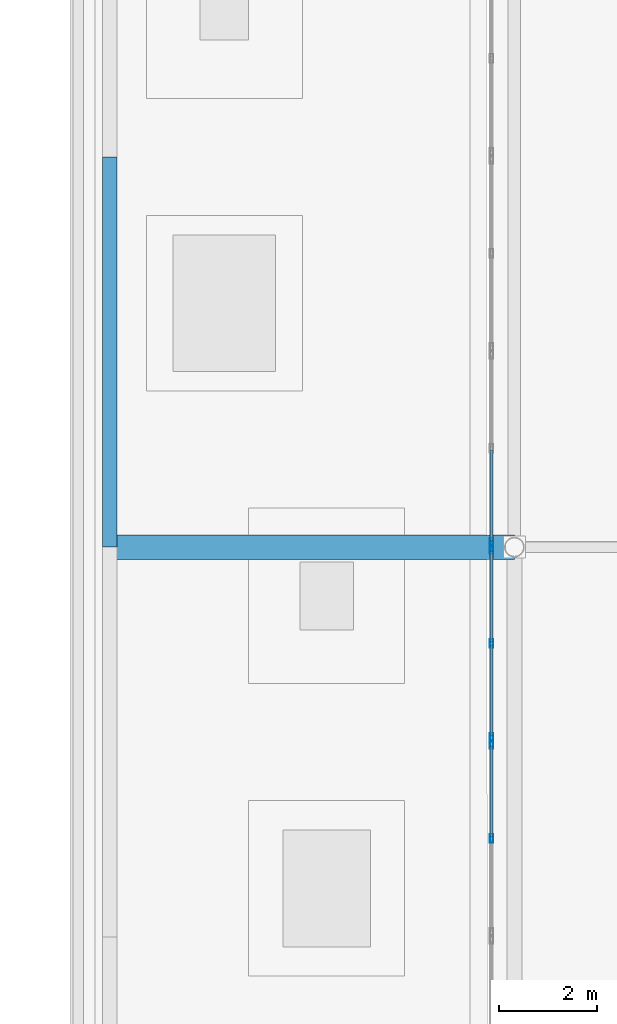
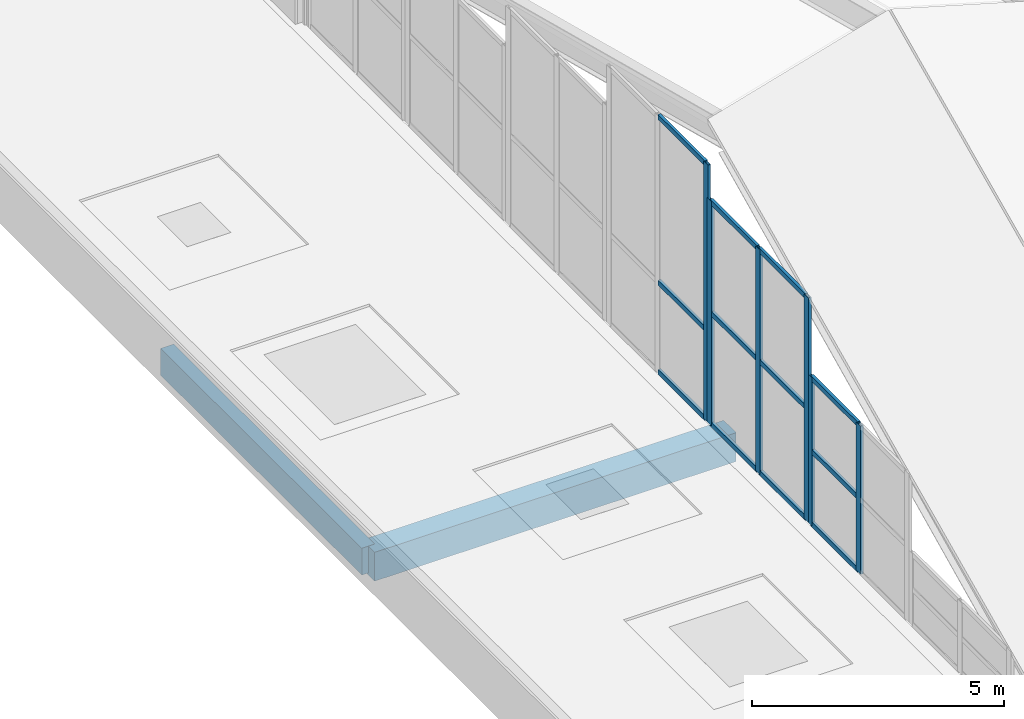
# One storey, part 35 of 184: 18 members, 2 beams, 3 elements without a shape of their own.
"""IFC4 building model written with IfcOpenShell, lengths in metres."""

from ifc_helpers import new_model, si_unit, direction, frame, origin, origin_2d, place, context, subcontext, project, spatial, rectangle, hollow_rectangle, extrude, material, material_profile, profile_set, type_object, element, aggregate, save


model = new_model("IFC4")

# Units and contexts
model_context = context("Model", 3, precision=1e-05, world=origin(), true_north=direction((0.0, 1.0)))
body_context = subcontext(model_context, "Body", "Model", "MODEL_VIEW")
ifc_project = project(units=[si_unit("LENGTHUNIT", "METRE"), si_unit("AREAUNIT", "SQUARE_METRE"), si_unit("VOLUMEUNIT", "CUBIC_METRE"), si_unit("PLANEANGLEUNIT", "RADIAN"), si_unit("MASSUNIT", "GRAM", prefix="KILO")], contexts=[model_context])

# Site, building, storey
site_placement = place(None, origin())
site = spatial("IfcSite", under=ifc_project, at=site_placement, CompositionType="ELEMENT")
building_placement = place(site_placement, origin())
building = spatial("IfcBuilding", under=site, at=building_placement, Name="Selatvlak General Hospital", CompositionType="ELEMENT")
storey_placement = place(building_placement, frame((0.0, 0.0, 15.0)))
storey = spatial("IfcBuildingStorey", under=building, at=storey_placement, Name="L03", CompositionType="ELEMENT", Elevation=15.0)

# Beams
ifc_material_1 = material(Name="Concrete C40/50", Category="concrete")
ifc_material_profile_1 = material_profile(ifc_material_1, rectangle(XDim=0.5, YDim=0.699951171875, at=origin_2d()), Name="RC-BM 500x700")
ifc_profile_set_1 = profile_set([ifc_material_profile_1], Name="Concrete C40/50")
beam_type_1 = type_object("IfcBeamType", Name="BM-G03", PredefinedType="BEAM", material=ifc_profile_set_1)
beam_1_placement = place(storey_placement, frame((15.050048828125, 68.0, -0.610107421875), z_axis=(1.0, 0.0, 0.0), x_axis=(0.0, 1.0, 0.0)))
element("IfcBeam", 1, at=beam_1_placement, inside=storey, type_object=beam_type_1, Name="Beam BMR-L03-2910", PredefinedType="BEAM", context=body_context, shape_type="SweptSolid", body=[
    extrude(rectangle(XDim=0.5, YDim=0.699951171875, at=origin_2d()), origin(), (0.0, 0.0, 1.0), 8.300048828125),
])
ifc_material_profile_2 = material_profile(ifc_material_1, rectangle(XDim=0.300048828125, YDim=0.64990234375, at=origin_2d()), Name="RC-SP 300x650")
ifc_profile_set_2 = profile_set([ifc_material_profile_2], Name="Concrete C40/50")
beam_type_2 = type_object("IfcBeamType", Name="BM-SP1", PredefinedType="SPANDREL", material=ifc_profile_set_2)
beam_2_placement = place(storey_placement, frame((15.050048828125, 68.0, -0.5849609375), z_axis=(0.0, 1.0, 0.0), x_axis=(-1.0, 0.0, 0.0)))
element("IfcBeam", 2, at=beam_2_placement, inside=storey, type_object=beam_type_2, Name="Beam BMR-L03-1293", PredefinedType="SPANDREL", context=body_context, shape_type="SweptSolid", body=[
    extrude(rectangle(XDim=0.300048828125, YDim=0.64990234375, at=origin_2d()), origin(), (0.0, 0.0, 1.0), 8.0),
])

# Curtain wall, members
ifc_material_2 = material(Name="Solar-control Low-E double glazing", Category="glass")
curtain_wall_type = type_object("IfcCurtainWallType", Name="CW-CW-05", PredefinedType="USERDEFINED", material=ifc_material_2)
curtain_wall_1_placement = place(storey_placement, origin())
curtain_wall_1 = element("IfcCurtainWall", 3, at=curtain_wall_1_placement, inside=storey, type_object=curtain_wall_type, Name="Glazed facade curtain wall CW-L03-0724", ObjectType="STICK GLAZING WALL", PredefinedType="USERDEFINED")
ifc_material_3 = material(Name="Dark anodised aluminium mullion", Category="aluminium")
ifc_material_profile_3 = material_profile(ifc_material_3, hollow_rectangle(XDim=0.06494140625, YDim=0.179931640625, WallThickness=0.00439453125, at=origin_2d()), Name="AL-MUL 65x180x4.5")
ifc_profile_set_3 = profile_set([ifc_material_profile_3], Name="Dark anodised aluminium mullion")
member_type_1 = type_object("IfcMemberType", Name="CWM-02", PredefinedType="MULLION", material=ifc_profile_set_3)
member_1_placement = place(storey_placement, frame((22.8798828125, 62.02490234375, 0.0), z_axis=(0.0, 0.0, 1.0), x_axis=(-1.0, 0.0, 0.0)))
member_1 = element("IfcMember", 4, at=member_1_placement, type_object=member_type_1, Name="CW-05 mullion 2", PredefinedType="MULLION", context=body_context, shape_type="SweptSolid", body=[
    extrude(hollow_rectangle(XDim=0.06494140625, YDim=0.179931640625, WallThickness=0.00439453125, at=origin_2d()), origin(), (0.0, 0.0, 1.0), 3.60009765625),
])
member_2_placement = place(storey_placement, frame((22.8798828125, 63.952392578125, 0.0), z_axis=(0.0, 0.0, 1.0), x_axis=(-1.0, 0.0, 0.0)))
member_2 = element("IfcMember", 5, at=member_2_placement, type_object=member_type_1, Name="CW-05 mullion 3", PredefinedType="MULLION", context=body_context, shape_type="SweptSolid", body=[
    extrude(hollow_rectangle(XDim=0.06494140625, YDim=0.179931640625, WallThickness=0.00439453125, at=origin_2d()), origin(), (0.0, 0.0, 1.0), 3.60009765625),
])

curtain_wall_2_placement = place(storey_placement, origin())
curtain_wall_2 = element("IfcCurtainWall", 6, at=curtain_wall_2_placement, inside=storey, type_object=curtain_wall_type, Name="Glazed facade curtain wall CW-L03-0725", ObjectType="STICK GLAZING WALL", PredefinedType="USERDEFINED")
member_3_placement = place(storey_placement, frame((22.8798828125, 64.097412109375, 0.0), z_axis=(0.0, 0.0, 1.0), x_axis=(-1.0, 0.0, 0.0)))
member_3 = element("IfcMember", 7, at=member_3_placement, type_object=member_type_1, Name="CW-05 mullion 1", PredefinedType="MULLION", context=body_context, shape_type="SweptSolid", body=[
    extrude(hollow_rectangle(XDim=0.06494140625, YDim=0.179931640625, WallThickness=0.00439453125, at=origin_2d()), origin(), (0.0, 0.0, 1.0), 5.449951171875),
])
member_4_placement = place(storey_placement, frame((22.8798828125, 66.02490234375, 0.0), z_axis=(0.0, 0.0, 1.0), x_axis=(-1.0, 0.0, 0.0)))
member_4 = element("IfcMember", 8, at=member_4_placement, type_object=member_type_1, Name="CW-05 mullion 2", PredefinedType="MULLION", context=body_context, shape_type="SweptSolid", body=[
    extrude(hollow_rectangle(XDim=0.06494140625, YDim=0.179931640625, WallThickness=0.00439453125, at=origin_2d()), origin(), (0.0, 0.0, 1.0), 5.449951171875),
])
member_5_placement = place(storey_placement, frame((22.8798828125, 67.952392578125, 0.0), z_axis=(0.0, 0.0, 1.0), x_axis=(-1.0, 0.0, 0.0)))
member_5 = element("IfcMember", 9, at=member_5_placement, type_object=member_type_1, Name="CW-05 mullion 3", PredefinedType="MULLION", context=body_context, shape_type="SweptSolid", body=[
    extrude(hollow_rectangle(XDim=0.06494140625, YDim=0.179931640625, WallThickness=0.00439453125, at=origin_2d()), origin(), (0.0, 0.0, 1.0), 5.449951171875),
])

# Curtain wall, member
curtain_wall_3_placement = place(storey_placement, origin())
curtain_wall_3 = element("IfcCurtainWall", 10, at=curtain_wall_3_placement, inside=storey, type_object=curtain_wall_type, Name="Glazed facade curtain wall CW-L03-0726", ObjectType="STICK GLAZING WALL", PredefinedType="USERDEFINED")
member_6_placement = place(storey_placement, frame((22.8798828125, 68.097412109375, 0.0), z_axis=(0.0, 0.0, 1.0), x_axis=(-1.0, 0.0, 0.0)))
member_6 = element("IfcMember", 11, at=member_6_placement, type_object=member_type_1, Name="CW-05 mullion 1", PredefinedType="MULLION", context=body_context, shape_type="SweptSolid", body=[
    extrude(hollow_rectangle(XDim=0.06494140625, YDim=0.179931640625, WallThickness=0.00439453125, at=origin_2d()), origin(), (0.0, 0.0, 1.0), 6.25),
])

# Member
ifc_material_profile_4 = material_profile(ifc_material_3, hollow_rectangle(XDim=0.06494140625, YDim=0.1201171875, WallThickness=0.00390625, at=origin_2d()), Name="AL-TRN 65x120x4")
ifc_profile_set_4 = profile_set([ifc_material_profile_4], Name="Dark anodised aluminium mullion")
member_type_2 = type_object("IfcMemberType", Name="CWT-01", PredefinedType="USERDEFINED", material=ifc_profile_set_4)
member_7_placement = place(storey_placement, frame((22.8798828125, 62.0576171875, 0.032470703125), z_axis=(0.0, 1.0, 0.0), x_axis=(-1.0, 0.0, 0.0)))
member_7 = element("IfcMember", 12, at=member_7_placement, type_object=member_type_2, Name="CW-05 transom 2.1", ObjectType="TRANSOM", PredefinedType="USERDEFINED", context=body_context, shape_type="SweptSolid", body=[
    extrude(hollow_rectangle(XDim=0.06494140625, YDim=0.1201171875, WallThickness=0.00390625, at=origin_2d()), origin(), (0.0, 0.0, 1.0), 1.8623046875),
])

member_8_placement = place(storey_placement, frame((22.8798828125, 62.0576171875, 1.800048828125), z_axis=(0.0, 1.0, 0.0), x_axis=(-1.0, 0.0, 0.0)))
member_8 = element("IfcMember", 13, at=member_8_placement, type_object=member_type_2, Name="CW-05 transom 2.2", ObjectType="TRANSOM", PredefinedType="USERDEFINED", context=body_context, shape_type="SweptSolid", body=[
    extrude(hollow_rectangle(XDim=0.06494140625, YDim=0.1201171875, WallThickness=0.00390625, at=origin_2d()), origin(), (0.0, 0.0, 1.0), 1.8623046875),
])

member_9_placement = place(storey_placement, frame((22.8798828125, 62.0576171875, 3.5673828125), z_axis=(0.0, 1.0, 0.0), x_axis=(-1.0, 0.0, 0.0)))
member_9 = element("IfcMember", 14, at=member_9_placement, type_object=member_type_2, Name="CW-05 transom 2.3", ObjectType="TRANSOM", PredefinedType="USERDEFINED", context=body_context, shape_type="SweptSolid", body=[
    extrude(hollow_rectangle(XDim=0.06494140625, YDim=0.1201171875, WallThickness=0.00390625, at=origin_2d()), origin(), (0.0, 0.0, 1.0), 1.8623046875),
])

aggregate(curtain_wall_1, [member_1, member_2, member_7, member_8, member_9])

member_10_placement = place(storey_placement, frame((22.8798828125, 64.1298828125, 0.032470703125), z_axis=(0.0, 1.0, 0.0), x_axis=(-1.0, 0.0, 0.0)))
member_10 = element("IfcMember", 15, at=member_10_placement, type_object=member_type_2, Name="CW-05 transom 1.1", ObjectType="TRANSOM", PredefinedType="USERDEFINED", context=body_context, shape_type="SweptSolid", body=[
    extrude(hollow_rectangle(XDim=0.06494140625, YDim=0.1201171875, WallThickness=0.00390625, at=origin_2d()), origin(), (0.0, 0.0, 1.0), 1.862548828125),
])

member_11_placement = place(storey_placement, frame((22.8798828125, 64.1298828125, 2.72509765625), z_axis=(0.0, 1.0, 0.0), x_axis=(-1.0, 0.0, 0.0)))
member_11 = element("IfcMember", 16, at=member_11_placement, type_object=member_type_2, Name="CW-05 transom 1.2", ObjectType="TRANSOM", PredefinedType="USERDEFINED", context=body_context, shape_type="SweptSolid", body=[
    extrude(hollow_rectangle(XDim=0.06494140625, YDim=0.1201171875, WallThickness=0.00390625, at=origin_2d()), origin(), (0.0, 0.0, 1.0), 1.862548828125),
])

member_12_placement = place(storey_placement, frame((22.8798828125, 64.1298828125, 5.41748046875), z_axis=(0.0, 1.0, 0.0), x_axis=(-1.0, 0.0, 0.0)))
member_12 = element("IfcMember", 17, at=member_12_placement, type_object=member_type_2, Name="CW-05 transom 1.3", ObjectType="TRANSOM", PredefinedType="USERDEFINED", context=body_context, shape_type="SweptSolid", body=[
    extrude(hollow_rectangle(XDim=0.06494140625, YDim=0.1201171875, WallThickness=0.00390625, at=origin_2d()), origin(), (0.0, 0.0, 1.0), 1.862548828125),
])

member_13_placement = place(storey_placement, frame((22.8798828125, 66.0576171875, 0.032470703125), z_axis=(0.0, 1.0, 0.0), x_axis=(-1.0, 0.0, 0.0)))
member_13 = element("IfcMember", 18, at=member_13_placement, type_object=member_type_2, Name="CW-05 transom 2.1", ObjectType="TRANSOM", PredefinedType="USERDEFINED", context=body_context, shape_type="SweptSolid", body=[
    extrude(hollow_rectangle(XDim=0.06494140625, YDim=0.1201171875, WallThickness=0.00390625, at=origin_2d()), origin(), (0.0, 0.0, 1.0), 1.8623046875),
])

member_14_placement = place(storey_placement, frame((22.8798828125, 66.0576171875, 2.72509765625), z_axis=(0.0, 1.0, 0.0), x_axis=(-1.0, 0.0, 0.0)))
member_14 = element("IfcMember", 19, at=member_14_placement, type_object=member_type_2, Name="CW-05 transom 2.2", ObjectType="TRANSOM", PredefinedType="USERDEFINED", context=body_context, shape_type="SweptSolid", body=[
    extrude(hollow_rectangle(XDim=0.06494140625, YDim=0.1201171875, WallThickness=0.00390625, at=origin_2d()), origin(), (0.0, 0.0, 1.0), 1.8623046875),
])

member_15_placement = place(storey_placement, frame((22.8798828125, 66.0576171875, 5.41748046875), z_axis=(0.0, 1.0, 0.0), x_axis=(-1.0, 0.0, 0.0)))
member_15 = element("IfcMember", 20, at=member_15_placement, type_object=member_type_2, Name="CW-05 transom 2.3", ObjectType="TRANSOM", PredefinedType="USERDEFINED", context=body_context, shape_type="SweptSolid", body=[
    extrude(hollow_rectangle(XDim=0.06494140625, YDim=0.1201171875, WallThickness=0.00390625, at=origin_2d()), origin(), (0.0, 0.0, 1.0), 1.8623046875),
])

aggregate(curtain_wall_2, [member_3, member_4, member_5, member_10, member_11, member_12, member_13, member_14, member_15])

member_16_placement = place(storey_placement, frame((22.8798828125, 68.1298828125, 0.032470703125), z_axis=(0.0, 1.0, 0.0), x_axis=(-1.0, 0.0, 0.0)))
member_16 = element("IfcMember", 21, at=member_16_placement, type_object=member_type_2, Name="CW-05 transom 1.1", ObjectType="TRANSOM", PredefinedType="USERDEFINED", context=body_context, shape_type="SweptSolid", body=[
    extrude(hollow_rectangle(XDim=0.06494140625, YDim=0.1201171875, WallThickness=0.00390625, at=origin_2d()), origin(), (0.0, 0.0, 1.0), 1.862548828125),
])

member_17_placement = place(storey_placement, frame((22.8798828125, 68.1298828125, 2.199951171875), z_axis=(0.0, 1.0, 0.0), x_axis=(-1.0, 0.0, 0.0)))
member_17 = element("IfcMember", 22, at=member_17_placement, type_object=member_type_2, Name="CW-05 transom 1.2", ObjectType="TRANSOM", PredefinedType="USERDEFINED", context=body_context, shape_type="SweptSolid", body=[
    extrude(hollow_rectangle(XDim=0.06494140625, YDim=0.1201171875, WallThickness=0.00390625, at=origin_2d()), origin(), (0.0, 0.0, 1.0), 1.862548828125),
])

member_18_placement = place(storey_placement, frame((22.8798828125, 68.1298828125, 6.217529296875), z_axis=(0.0, 1.0, 0.0), x_axis=(-1.0, 0.0, 0.0)))
member_18 = element("IfcMember", 23, at=member_18_placement, type_object=member_type_2, Name="CW-05 transom 1.3", ObjectType="TRANSOM", PredefinedType="USERDEFINED", context=body_context, shape_type="SweptSolid", body=[
    extrude(hollow_rectangle(XDim=0.06494140625, YDim=0.1201171875, WallThickness=0.00390625, at=origin_2d()), origin(), (0.0, 0.0, 1.0), 1.862548828125),
])

aggregate(curtain_wall_3, [member_6, member_16, member_17, member_18])

save(model, "model.ifc")
